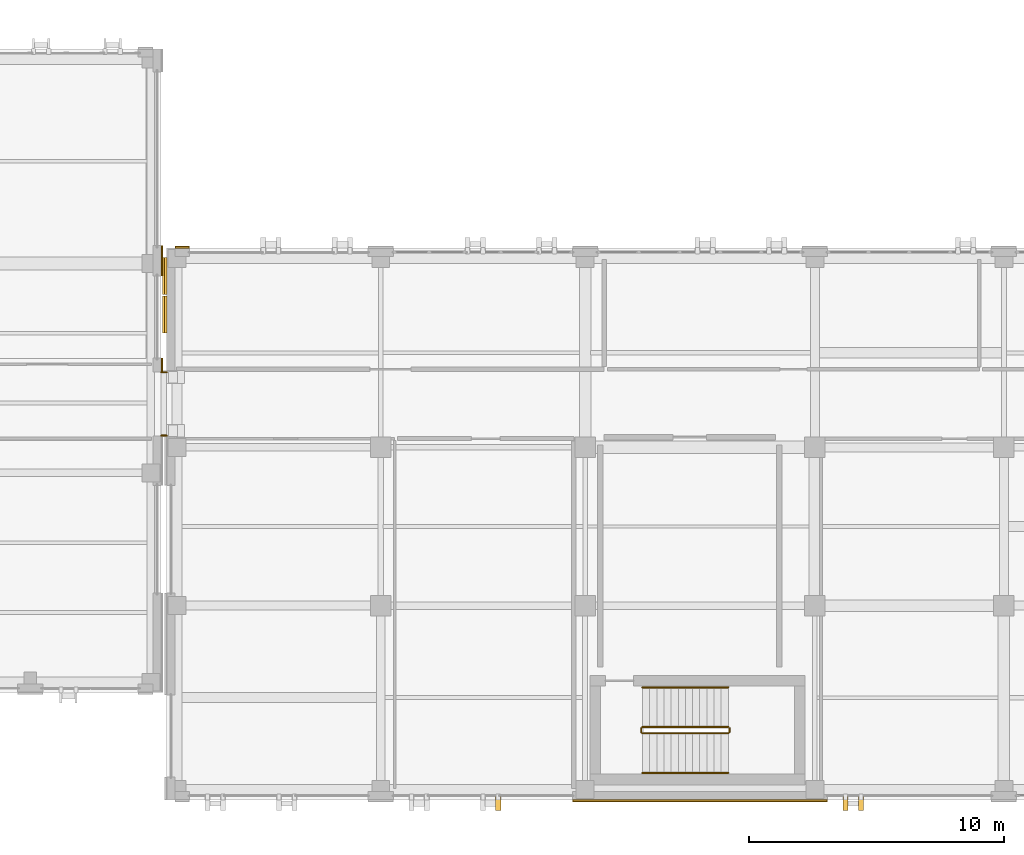
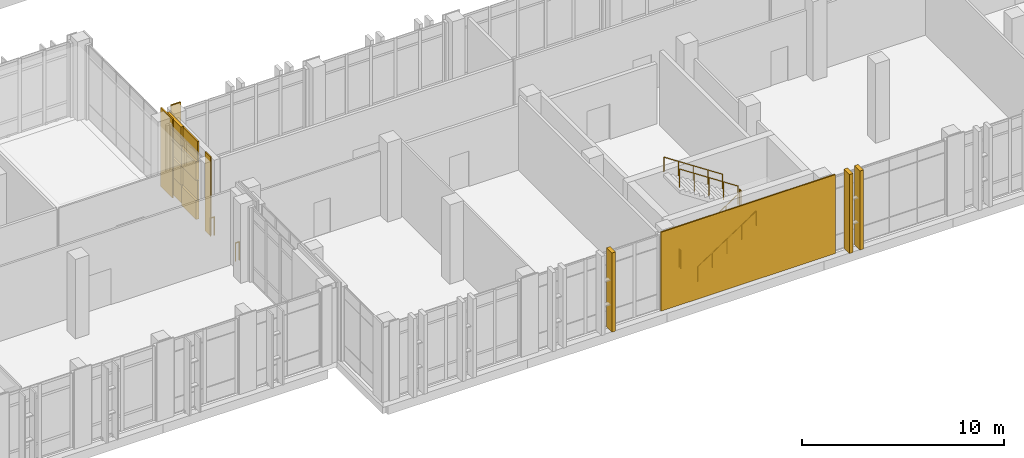
# One storey, part 175 of 189: 15 coverings, 8 railings.
"""IFC4 building model written with IfcOpenShell, lengths in metres."""

from ifc_helpers import new_model, si_unit, direction, frame, origin, origin_2d, place, context, subcontext, project, spatial, rectangle, circle, extrude, material, layer, layer_set, type_object, element, save


model = new_model("IFC4")

# Units and contexts
model_context = context("Model", 3, precision=1e-05, world=origin(), true_north=direction((0.0, 1.0)))
body_context = subcontext(model_context, "Body", "Model", "MODEL_VIEW")
ifc_project = project(units=[si_unit("LENGTHUNIT", "METRE"), si_unit("AREAUNIT", "SQUARE_METRE"), si_unit("VOLUMEUNIT", "CUBIC_METRE"), si_unit("PLANEANGLEUNIT", "RADIAN"), si_unit("MASSUNIT", "GRAM", prefix="KILO")], contexts=[model_context])

# Site, building, storey
site_placement = place(None, origin())
site = spatial("IfcSite", under=ifc_project, at=site_placement, CompositionType="ELEMENT")
building_placement = place(site_placement, origin())
building = spatial("IfcBuilding", under=site, at=building_placement, Name="Qalavern Law Courts", CompositionType="ELEMENT")
storey_placement = place(building_placement, frame((0.0, 0.0, 5.39990234375)))
storey = spatial("IfcBuildingStorey", under=building, at=storey_placement, Name="L01", CompositionType="ELEMENT", Elevation=5.39990234375)

# Railings
ifc_material_1 = material(Name="Steel S355", Category="steel")
railing_type_1 = type_object("IfcRailingType", Name="ENV-BAL-1120", PredefinedType="BALUSTRADE", material=ifc_material_1)
for number, where, name in (
    (1, (101.199951171875, 15.260009765625, 0.0), "Bridge BR-V2-V6 joint guard L01-1"),
    (2, (101.199951171875, 17.739990234375, 0.0), "Bridge BR-V2-V6 joint guard L01-2"),
):
    element("IfcRailing", number, at=place(storey_placement, frame(where)), inside=storey, type_object=railing_type_1, Name=name, PredefinedType="BALUSTRADE", context=body_context, shape_type="SweptSolid", body=[
        extrude(circle(Radius=0.02392578125, at=origin_2d()), frame((0.0, 0.0, 1.09619140625), z_axis=(1.0, 0.0, 0.0), x_axis=(0.0, 1.0, 0.0)), (0.0, 0.0, 1.0), 0.219970703125),
        extrude(circle(Radius=0.02099609375, at=origin_2d()), origin(), (0.0, 0.0, 1.0), 1.072021484375),
        extrude(circle(Radius=0.02099609375, at=origin_2d()), frame((0.219970703125, 0.0, 0.0)), (0.0, 0.0, 1.0), 1.072021484375),
    ])

# Coverings
ifc_material_2 = material(Name="Precast concrete C40/50", Category="concrete")
ifc_layer_1 = layer(ifc_material_2, 0.199951171875)
ifc_layer_set_1 = layer_set([ifc_layer_1], Name="Precast concrete C40/50")
covering_type_1 = type_object("IfcCoveringType", Name="ENV-BLD-1", PredefinedType="CLADDING", material=ifc_layer_set_1)
for number, where, z_axis, x_axis, name in (
    (3, (114.39990234375, 0.8525390625, 0.005126953125), (0.0, 0.0, 1.0), (0.0, -1.0, 0.0), "Absheron stone facade blade 1202"),
    (4, (128.0, 0.8525390625, 0.005126953125), (0.0, 0.0, 1.0), (0.0, -1.0, 0.0), "Absheron stone facade blade 1203"),
    (5, (128.60009765625, 0.8525390625, 0.005126953125), (0.0, 0.0, 1.0), (0.0, -1.0, 0.0), "Absheron stone facade blade 1204"),
):
    element("IfcCovering", number, at=place(storey_placement, frame(where, z_axis=z_axis, x_axis=x_axis)), inside=storey, type_object=covering_type_1, Name=name, PredefinedType="CLADDING", context=body_context, shape_type="SweptSolid", body=[
        extrude(rectangle(XDim=0.5400390625, YDim=0.199951171875, at=origin_2d()), origin(), (0.0, 0.0, 1.0), 4.7900390625),
    ])
ifc_layer_2 = layer(ifc_material_2, 0.06005859375)
ifc_layer_set_2 = layer_set([ifc_layer_2], Name="Precast concrete C40/50")
covering_type_2 = type_object("IfcCoveringType", Name="ENV-CLD-1", PredefinedType="CLADDING", material=ifc_layer_set_2)
covering_1_placement = place(storey_placement, frame((101.382080078125, 21.5, 0.050048828125), z_axis=(0.0, 0.0, 1.0), x_axis=(0.0, -1.0, 0.0)))
element("IfcCovering", 6, at=covering_1_placement, inside=storey, type_object=covering_type_2, Name="Cast drop-relief street-base tile 1713", PredefinedType="CLADDING", context=body_context, shape_type="SweptSolid", body=[
    extrude(rectangle(XDim=1.449951171875, YDim=0.083984375, at=origin_2d()), origin(), (0.0, 0.0, 1.0), 1.14501953125),
])
for number, where, z_axis, x_axis, name in (
    (7, (101.340087890625, 21.5, 3.60498046875), (0.0, 0.0, 1.0), (0.0, -1.0, 0.0), "Cast drop-relief street-base tile 1716"),
    (8, (101.340087890625, 20.0, 2.420166015625), (0.0, 0.0, 1.0), (0.0, -1.0, 0.0), "Cast drop-relief street-base tile 1719"),
):
    element("IfcCovering", number, at=place(storey_placement, frame(where, z_axis=z_axis, x_axis=x_axis)), inside=storey, type_object=covering_type_2, Name=name, PredefinedType="CLADDING", context=body_context, shape_type="SweptSolid", body=[
        extrude(rectangle(XDim=1.449951171875, YDim=0.16796875, at=origin_2d()), origin(), (0.0, 0.0, 1.0), 1.14501953125),
    ])
ifc_layer_3 = layer(ifc_material_2, 0.072021484375)
ifc_layer_set_3 = layer_set([ifc_layer_3], Name="Precast concrete C40/50")
covering_type_3 = type_object("IfcCoveringType", Name="ENV-CLD-2", PredefinedType="CLADDING", material=ifc_layer_set_3)
covering_2_placement = place(storey_placement, frame((101.23291015625, 18.02490234375, 0.01025390625), z_axis=(0.0, 0.0, 1.0), x_axis=(0.0, 1.0, 0.0)))
element("IfcCovering", 9, at=covering_2_placement, inside=storey, type_object=covering_type_3, Name="V2 Absheron limestone pier facing L01 east 1", PredefinedType="CLADDING", context=body_context, shape_type="SweptSolid", body=[
    extrude(rectangle(XDim=0.530029296875, YDim=0.072021484375, at=origin_2d()), origin(), (0.0, 0.0, 1.0), 4.780029296875),
])
covering_3_placement = place(storey_placement, frame((101.23291015625, 22.10009765625, 0.01025390625), z_axis=(0.0, 0.0, 1.0), x_axis=(0.0, 1.0, 0.0)))
element("IfcCovering", 10, at=covering_3_placement, inside=storey, type_object=covering_type_3, Name="V2 Absheron limestone pier facing L01 east 2", PredefinedType="CLADDING", context=body_context, shape_type="SweptSolid", body=[
    extrude(rectangle(XDim=1.179931640625, YDim=0.072021484375, at=origin_2d()), origin(), (0.0, 0.0, 1.0), 4.780029296875),
])
covering_4_placement = place(storey_placement, frame((122.300048828125, 0.967041015625, 0.01025390625), z_axis=(0.0, 0.0, 1.0), x_axis=(1.0, 0.0, 0.0)))
element("IfcCovering", 11, at=covering_4_placement, inside=storey, type_object=covering_type_3, Name="V6 Absheron limestone pier facing L01 south 3", PredefinedType="CLADDING", context=body_context, shape_type="SweptSolid", body=[
    extrude(rectangle(XDim=9.97998046875, YDim=0.072021484375, at=origin_2d()), origin(), (0.0, 0.0, 1.0), 4.780029296875),
])
covering_5_placement = place(storey_placement, frame((102.030029296875, 22.633056640625, 0.01025390625), z_axis=(0.0, 0.0, 1.0), x_axis=(-1.0, 0.0, 0.0)))
element("IfcCovering", 12, at=covering_5_placement, inside=storey, type_object=covering_type_3, Name="V6 Absheron limestone pier facing L01 north 9", PredefinedType="CLADDING", context=body_context, shape_type="SweptSolid", body=[
    extrude(rectangle(XDim=0.56005859375, YDim=0.072021484375, at=origin_2d()), origin(), (0.0, 0.0, 1.0), 4.780029296875),
])
for number, where, z_axis, x_axis, name in (
    (13, (101.340087890625, 21.5, 1.235107421875), (0.0, 0.0, 1.0), (0.0, -1.0, 0.0), "Cast drop-relief street-base tile 1714"),
    (14, (101.340087890625, 20.0, 0.050048828125), (0.0, 0.0, 1.0), (0.0, -1.0, 0.0), "Cast drop-relief street-base tile 1717"),
):
    element("IfcCovering", number, at=place(storey_placement, frame(where, z_axis=z_axis, x_axis=x_axis)), inside=storey, type_object=covering_type_3, Name=name, PredefinedType="CLADDING", context=body_context, shape_type="SweptSolid", body=[
        extrude(rectangle(XDim=1.449951171875, YDim=0.16796875, at=origin_2d()), origin(), (0.0, 0.0, 1.0), 1.14501953125),
    ])
covering_6_placement = place(storey_placement, frame((101.382080078125, 20.0, 3.60498046875), z_axis=(0.0, 0.0, 1.0), x_axis=(0.0, -1.0, 0.0)))
element("IfcCovering", 15, at=covering_6_placement, inside=storey, type_object=covering_type_3, Name="Cast drop-relief street-base tile 1720", PredefinedType="CLADDING", context=body_context, shape_type="SweptSolid", body=[
    extrude(rectangle(XDim=1.449951171875, YDim=0.083984375, at=origin_2d()), origin(), (0.0, 0.0, 1.0), 1.14501953125),
])
ifc_layer_4 = layer(ifc_material_2, 0.083984375)
ifc_layer_set_4 = layer_set([ifc_layer_4], Name="Precast concrete C40/50")
covering_type_4 = type_object("IfcCoveringType", Name="ENV-CLD-3", PredefinedType="CLADDING", material=ifc_layer_set_4)
for number, where, z_axis, x_axis, name in (
    (16, (101.382080078125, 21.5, 2.420166015625), (0.0, 0.0, 1.0), (0.0, -1.0, 0.0), "Cast drop-relief street-base tile 1715"),
    (17, (101.382080078125, 20.0, 1.235107421875), (0.0, 0.0, 1.0), (0.0, -1.0, 0.0), "Cast drop-relief street-base tile 1718"),
):
    element("IfcCovering", number, at=place(storey_placement, frame(where, z_axis=z_axis, x_axis=x_axis)), inside=storey, type_object=covering_type_4, Name=name, PredefinedType="CLADDING", context=body_context, shape_type="SweptSolid", body=[
        extrude(rectangle(XDim=1.449951171875, YDim=0.083984375, at=origin_2d()), origin(), (0.0, 0.0, 1.0), 1.14501953125),
    ])

# Railings
railing_type_2 = type_object("IfcRailingType", Name="INT-GUARD-1120", PredefinedType="BALUSTRADE", material=ifc_material_1)
railing_1_placement = place(storey_placement, frame((120.050048828125, 3.60009765625, 0.184814453125)))
element("IfcRailing", 18, at=railing_1_placement, inside=storey, type_object=railing_type_2, Name="L01 ST-K5 stair guard 1", PredefinedType="BALUSTRADE", context=body_context, shape_type="SweptSolid", body=[
    extrude(circle(Radius=0.02392578125, at=origin_2d()), frame((0.0, 0.0, 1.09619140625), z_axis=(0.834858096282, 0.0, 0.550465220583), x_axis=(0.0, 1.0, 0.0)), (0.0, 0.0, 1.0), 4.0244140625),
    extrude(circle(Radius=0.02099609375, at=origin_2d()), origin(), (0.0, 0.0, 1.0), 1.072021484375),
    extrude(circle(Radius=0.02099609375, at=origin_2d()), frame((0.83984375, 0.0, 0.5537109375)), (0.0, 0.0, 1.0), 1.072021484375),
    extrude(circle(Radius=0.02099609375, at=origin_2d()), frame((1.679931640625, 0.0, 1.107666015625)), (0.0, 0.0, 1.0), 1.072021484375),
    extrude(circle(Radius=0.02099609375, at=origin_2d()), frame((2.52001953125, 0.0, 1.66162109375)), (0.0, 0.0, 1.0), 1.072021484375),
    extrude(circle(Radius=0.02099609375, at=origin_2d()), frame((3.35986328125, 0.0, 2.21533203125)), (0.0, 0.0, 1.0), 1.072021484375),
])
railing_2_placement = place(storey_placement, frame((123.4599609375, 3.64990234375, 2.400146484375)))
element("IfcRailing", 19, at=railing_2_placement, inside=storey, type_object=railing_type_2, Name="L01 ST-K5 stair guard 2", PredefinedType="BALUSTRADE", context=body_context, shape_type="SweptSolid", body=[
    extrude(circle(Radius=0.02392578125, at=origin_2d()), frame((0.0, 0.0, 1.09619140625), z_axis=(0.0, 1.0, 0.0), x_axis=(-1.0, 0.0, 0.0)), (0.0, 0.0, 1.0), 0.150146484375),
    extrude(circle(Radius=0.02099609375, at=origin_2d()), origin(), (0.0, 0.0, 1.0), 1.072021484375),
    extrude(circle(Radius=0.02099609375, at=origin_2d()), frame((0.0, 0.150146484375, 0.0)), (0.0, 0.0, 1.0), 1.072021484375),
])
railing_3_placement = place(storey_placement, frame((123.409912109375, 3.85009765625, 2.584716796875)))
element("IfcRailing", 20, at=railing_3_placement, inside=storey, type_object=railing_type_2, Name="L01 ST-K5 stair guard 3", PredefinedType="BALUSTRADE", context=body_context, shape_type="SweptSolid", body=[
    extrude(circle(Radius=0.02392578125, at=origin_2d()), frame((0.0, 0.0, 1.09619140625), z_axis=(-0.834858096282, 0.0, 0.550465220583), x_axis=(0.0, -1.0, 0.0)), (0.0, 0.0, 1.0), 4.0244140625),
    extrude(circle(Radius=0.02099609375, at=origin_2d()), origin(), (0.0, 0.0, 1.0), 1.072021484375),
    extrude(circle(Radius=0.02099609375, at=origin_2d()), frame((-0.83984375, 0.0, 0.5537109375)), (0.0, 0.0, 1.0), 1.072021484375),
    extrude(circle(Radius=0.02099609375, at=origin_2d()), frame((-1.679931640625, 0.0, 1.107666015625)), (0.0, 0.0, 1.0), 1.072021484375),
    extrude(circle(Radius=0.02099609375, at=origin_2d()), frame((-2.52001953125, 0.0, 1.66162109375)), (0.0, 0.0, 1.0), 1.072021484375),
    extrude(circle(Radius=0.02099609375, at=origin_2d()), frame((-3.35986328125, 0.0, 2.21533203125)), (0.0, 0.0, 1.0), 1.072021484375),
])
railing_4_placement = place(storey_placement, frame((120.0, 3.64990234375, 0.0)))
element("IfcRailing", 21, at=railing_4_placement, inside=storey, type_object=railing_type_2, Name="L01 ST-K5 stair guard 4", PredefinedType="BALUSTRADE", context=body_context, shape_type="SweptSolid", body=[
    extrude(circle(Radius=0.02392578125, at=origin_2d()), frame((0.0, 0.0, 1.09619140625), z_axis=(0.0, 1.0, 0.0), x_axis=(-1.0, 0.0, 0.0)), (0.0, 0.0, 1.0), 0.150146484375),
    extrude(circle(Radius=0.02099609375, at=origin_2d()), origin(), (0.0, 0.0, 1.0), 1.072021484375),
    extrude(circle(Radius=0.02099609375, at=origin_2d()), frame((0.0, 0.150146484375, 0.0)), (0.0, 0.0, 1.0), 1.072021484375),
])
railing_type_3 = type_object("IfcRailingType", Name="INT-HRAIL-920", PredefinedType="HANDRAIL", material=ifc_material_1)
railing_5_placement = place(storey_placement, frame((120.050048828125, 2.050048828125, 0.184814453125)))
element("IfcRailing", 22, at=railing_5_placement, inside=storey, type_object=railing_type_3, Name="L01 ST-K5 stair handrail 1", PredefinedType="HANDRAIL", context=body_context, shape_type="SweptSolid", body=[
    extrude(circle(Radius=0.02392578125, at=origin_2d()), frame((0.0, 0.0, 0.8759765625), z_axis=(0.834858096282, 0.0, 0.550465220583), x_axis=(0.0, 1.0, 0.0)), (0.0, 0.0, 1.0), 4.0244140625),
    extrude(circle(Radius=0.02099609375, at=origin_2d()), origin(), (0.0, 0.0, 1.0), 0.851806640625),
    extrude(circle(Radius=0.02099609375, at=origin_2d()), frame((0.83984375, 0.0, 0.5537109375)), (0.0, 0.0, 1.0), 0.851806640625),
    extrude(circle(Radius=0.02099609375, at=origin_2d()), frame((1.679931640625, 0.0, 1.107666015625)), (0.0, 0.0, 1.0), 0.851806640625),
    extrude(circle(Radius=0.02099609375, at=origin_2d()), frame((2.52001953125, 0.0, 1.66162109375)), (0.0, 0.0, 1.0), 0.851806640625),
    extrude(circle(Radius=0.02099609375, at=origin_2d()), frame((3.35986328125, 0.0, 2.21533203125)), (0.0, 0.0, 1.0), 0.851806640625),
])
railing_6_placement = place(storey_placement, frame((123.409912109375, 5.39990234375, 2.584716796875)))
element("IfcRailing", 23, at=railing_6_placement, inside=storey, type_object=railing_type_3, Name="L01 ST-K5 stair handrail 2", PredefinedType="HANDRAIL", context=body_context, shape_type="SweptSolid", body=[
    extrude(circle(Radius=0.02392578125, at=origin_2d()), frame((0.0, 0.0, 0.8759765625), z_axis=(-0.834858096282, 0.0, 0.550465220583), x_axis=(0.0, -1.0, 0.0)), (0.0, 0.0, 1.0), 4.0244140625),
    extrude(circle(Radius=0.02099609375, at=origin_2d()), origin(), (0.0, 0.0, 1.0), 0.851806640625),
    extrude(circle(Radius=0.02099609375, at=origin_2d()), frame((-0.83984375, 0.0, 0.5537109375)), (0.0, 0.0, 1.0), 0.851806640625),
    extrude(circle(Radius=0.02099609375, at=origin_2d()), frame((-1.679931640625, 0.0, 1.107666015625)), (0.0, 0.0, 1.0), 0.851806640625),
    extrude(circle(Radius=0.02099609375, at=origin_2d()), frame((-2.52001953125, 0.0, 1.66162109375)), (0.0, 0.0, 1.0), 0.851806640625),
    extrude(circle(Radius=0.02099609375, at=origin_2d()), frame((-3.35986328125, 0.0, 2.21533203125)), (0.0, 0.0, 1.0), 0.851806640625),
])

save(model, "model.ifc")
